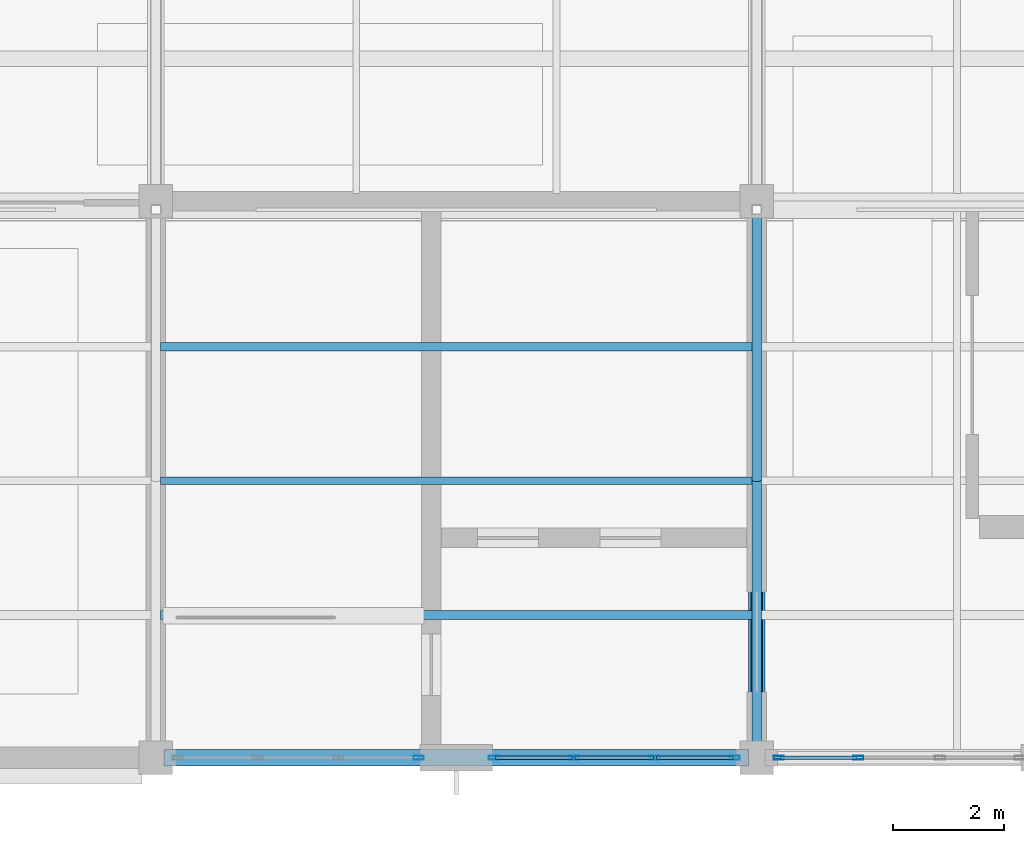
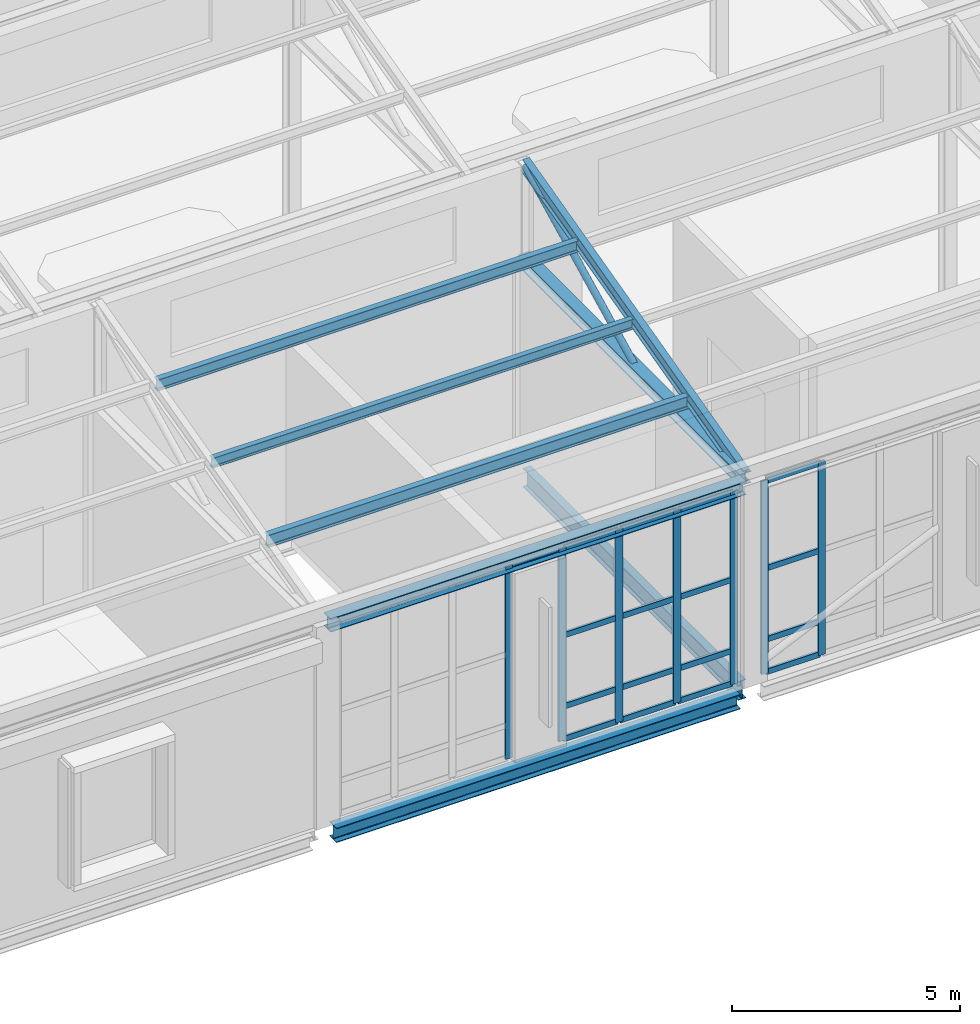
# One storey, part 7 of 49: 29 members, 3 beams, 3 elements without a shape of their own.
"""IFC4 building model written with IfcOpenShell, lengths in metres."""

from ifc_helpers import new_model, si_unit, direction, frame, origin, origin_2d, place, context, subcontext, project, spatial, hollow_rectangle, hollow_circle, i_section, extrude, material, layer, layer_set, material_profile, profile_set, type_object, element, aggregate, save


model = new_model("IFC4")

# Units and contexts
model_context = context("Model", 3, precision=1e-05, world=origin(), true_north=direction((0.0, 1.0)))
body_context = subcontext(model_context, "Body", "Model", "MODEL_VIEW")
ifc_project = project(units=[si_unit("LENGTHUNIT", "METRE"), si_unit("AREAUNIT", "SQUARE_METRE"), si_unit("VOLUMEUNIT", "CUBIC_METRE"), si_unit("PLANEANGLEUNIT", "RADIAN"), si_unit("MASSUNIT", "GRAM", prefix="KILO")], contexts=[model_context])

# Site, building, storey
site_placement = place(None, origin())
site = spatial("IfcSite", under=ifc_project, at=site_placement, CompositionType="ELEMENT")
building_placement = place(site_placement, origin())
building = spatial("IfcBuilding", under=site, at=building_placement, Name="Tasgan Crest Museum", CompositionType="ELEMENT")
storey_placement = place(building_placement, frame((0.0, 0.0, 28.800048828125)))
storey = spatial("IfcBuildingStorey", under=building, at=storey_placement, Name="L05", CompositionType="ELEMENT", Elevation=28.800048828125)

# Beams
ifc_material_1 = material(Name="Steel S355J2", Category="steel")
ifc_material_profile_1 = material_profile(ifc_material_1, i_section(OverallWidth=0.300048828125, OverallDepth=0.35009765625, WebThickness=0.009521484375, FlangeThickness=0.017578125, FilletRadius=0.027099609375, at=origin_2d()), Name="HEA 360")
ifc_profile_set_1 = profile_set([ifc_material_profile_1], Name="Steel S355J2")
beam_type_1 = type_object("IfcBeamType", Name="BM-G-HEA360", PredefinedType="BEAM", material=ifc_profile_set_1)
beam_1_placement = place(storey_placement, frame((10.949951171875, 82.0, 5.219970703125), z_axis=(1.0, 0.0, 0.0), x_axis=(0.0, 1.0, 0.0)))
element("IfcBeam", 1, at=beam_1_placement, inside=storey, type_object=beam_type_1, Name="Sawtooth valley girder B1 10.8-21.6", PredefinedType="BEAM", context=body_context, shape_type="SweptSolid", body=[
    extrude(i_section(OverallWidth=0.300048828125, OverallDepth=0.35009765625, WebThickness=0.009521484375, FlangeThickness=0.017578125, FilletRadius=0.027099609375, at=origin_2d()), origin(), (0.0, 0.0, 1.0), 10.5),
])
ifc_material_2 = material(Name="Steel S355J2", Category="steel")
ifc_material_profile_2 = material_profile(ifc_material_2, i_section(OverallWidth=0.300048828125, OverallDepth=0.389892578125, WebThickness=0.010986328125, FlangeThickness=0.01904296875, FilletRadius=0.027099609375, at=origin_2d()), Name="HEA 400")
ifc_profile_set_2 = profile_set([ifc_material_profile_2], Name="Steel S355J2")
beam_type_2 = type_object("IfcBeamType", Name="BM-G-HEA400", PredefinedType="BEAM", material=ifc_profile_set_2)
beam_2_placement = place(storey_placement, frame((11.095947265625, 82.0, -0.43505859375), z_axis=(1.0, 0.0, 0.0), x_axis=(0.0, 1.0, 0.0)))
element("IfcBeam", 2, at=beam_2_placement, inside=storey, type_object=beam_type_2, Name="Girder L05 J 10.8-21.6", PredefinedType="BEAM", context=body_context, shape_type="SweptSolid", body=[
    extrude(i_section(OverallWidth=0.300048828125, OverallDepth=0.389892578125, WebThickness=0.010986328125, FlangeThickness=0.01904296875, FilletRadius=0.027099609375, at=origin_2d()), origin(), (0.0, 0.0, 1.0), 10.2080078125),
])
ifc_material_3 = material(Name="Steel S355J2", Category="steel")
ifc_material_profile_3 = material_profile(ifc_material_3, i_section(OverallWidth=0.199951171875, OverallDepth=0.5, WebThickness=0.01025390625, FlangeThickness=0.01611328125, FilletRadius=0.02099609375, at=origin_2d()), Name="IPE 500")
ifc_profile_set_3 = profile_set([ifc_material_profile_3], Name="Steel S355J2")
beam_type_3 = type_object("IfcBeamType", Name="BM-G-IPE500", PredefinedType="BEAM", material=ifc_profile_set_3)
beam_3_placement = place(storey_placement, frame((21.60009765625, 82.294921875, -0.489990234375), z_axis=(0.0, 1.0, 0.0), x_axis=(-1.0, 0.0, 0.0)))
element("IfcBeam", 3, at=beam_3_placement, inside=storey, type_object=beam_type_3, Name="Beam L05 3 82.0-92.0", PredefinedType="BEAM", context=body_context, shape_type="SweptSolid", body=[
    extrude(i_section(OverallWidth=0.199951171875, OverallDepth=0.5, WebThickness=0.01025390625, FlangeThickness=0.01611328125, FilletRadius=0.02099609375, at=origin_2d()), origin(), (0.0, 0.0, 1.0), 9.41015625),
])

# Curtain wall, member
ifc_material_4 = material(Name="Triple-Glazed Aluminium Curtain Wall", Category="aluminium")
ifc_layer_1 = layer(ifc_material_4, 0.179931640625, Name="CW-CORE-STRIP-54")
ifc_layer_set_1 = layer_set([ifc_layer_1], Name="Triple-Glazed Aluminium Curtain Wall")
curtain_wall_type_1 = type_object("IfcCurtainWallType", Name="CW-CORE-STRIP-54", PredefinedType="NOTDEFINED", material=ifc_layer_set_1)
curtain_wall_1_placement = place(storey_placement, origin())
curtain_wall_1 = element("IfcCurtainWall", 4, at=curtain_wall_1_placement, inside=storey, type_object=curtain_wall_type_1, Name="Curtain wall L05 211", PredefinedType="NOTDEFINED")
ifc_material_5 = material(Name="Anodised Aluminium", Category="aluminium")
ifc_material_profile_4 = material_profile(ifc_material_5, hollow_rectangle(XDim=0.06494140625, YDim=0.179931640625, WallThickness=0.0048828125, at=origin_2d()), Name="ALU MULLION 180x65x5")
ifc_profile_set_4 = profile_set([ifc_material_profile_4], Name="Anodised Aluminium")
member_type_1 = type_object("IfcMemberType", Name="CW-MULLION-180", PredefinedType="MULLION", material=ifc_profile_set_4)
member_1_placement = place(storey_placement, frame((15.52490234375, 82.0, 0.0), z_axis=(0.0, 0.0, 1.0), x_axis=(0.0, 1.0, 0.0)))
member_1 = element("IfcMember", 5, at=member_1_placement, type_object=member_type_1, Name="CW21 mullion 4", PredefinedType="MULLION", context=body_context, shape_type="SweptSolid", body=[
    extrude(hollow_rectangle(XDim=0.06494140625, YDim=0.179931640625, WallThickness=0.0048828125, at=origin_2d()), origin(), (0.0, 0.0, 1.0), 5.159912109375),
])
aggregate(curtain_wall_1, [member_1])

# Curtain wall, members
curtain_wall_2_placement = place(storey_placement, origin())
curtain_wall_2 = element("IfcCurtainWall", 6, at=curtain_wall_2_placement, inside=storey, type_object=curtain_wall_type_1, Name="Curtain wall L05 212", PredefinedType="NOTDEFINED")
member_2_placement = place(storey_placement, frame((16.875, 82.0, 0.0), z_axis=(0.0, 0.0, 1.0), x_axis=(0.0, 1.0, 0.0)))
member_2 = element("IfcMember", 7, at=member_2_placement, type_object=member_type_1, Name="CW21 mullion 1", PredefinedType="MULLION", context=body_context, shape_type="SweptSolid", body=[
    extrude(hollow_rectangle(XDim=0.06494140625, YDim=0.179931640625, WallThickness=0.0048828125, at=origin_2d()), origin(), (0.0, 0.0, 1.0), 5.159912109375),
])
member_3_placement = place(storey_placement, frame((18.308349609375, 82.0, 0.0), z_axis=(0.0, 0.0, 1.0), x_axis=(0.0, 1.0, 0.0)))
member_3 = element("IfcMember", 8, at=member_3_placement, type_object=member_type_1, Name="CW21 mullion 2", PredefinedType="MULLION", context=body_context, shape_type="SweptSolid", body=[
    extrude(hollow_rectangle(XDim=0.06494140625, YDim=0.179931640625, WallThickness=0.0048828125, at=origin_2d()), origin(), (0.0, 0.0, 1.0), 5.159912109375),
])
member_4_placement = place(storey_placement, frame((19.771728515625, 82.0, 0.0), z_axis=(0.0, 0.0, 1.0), x_axis=(0.0, 1.0, 0.0)))
member_4 = element("IfcMember", 9, at=member_4_placement, type_object=member_type_1, Name="CW21 mullion 3", PredefinedType="MULLION", context=body_context, shape_type="SweptSolid", body=[
    extrude(hollow_rectangle(XDim=0.06494140625, YDim=0.179931640625, WallThickness=0.0048828125, at=origin_2d()), origin(), (0.0, 0.0, 1.0), 5.159912109375),
])
member_5_placement = place(storey_placement, frame((21.205078125, 82.0, 0.0), z_axis=(0.0, 0.0, 1.0), x_axis=(0.0, 1.0, 0.0)))
member_5 = element("IfcMember", 10, at=member_5_placement, type_object=member_type_1, Name="CW21 mullion 4", PredefinedType="MULLION", context=body_context, shape_type="SweptSolid", body=[
    extrude(hollow_rectangle(XDim=0.06494140625, YDim=0.179931640625, WallThickness=0.0048828125, at=origin_2d()), origin(), (0.0, 0.0, 1.0), 5.159912109375),
])

ifc_material_6 = material(Name="Triple-Glazed Aluminium Curtain Wall", Category="aluminium")
ifc_layer_2 = layer(ifc_material_6, 0.179931640625, Name="CW-GAL-X-54")
ifc_layer_set_2 = layer_set([ifc_layer_2], Name="Triple-Glazed Aluminium Curtain Wall")
curtain_wall_type_2 = type_object("IfcCurtainWallType", Name="CW-GAL-X-54", PredefinedType="NOTDEFINED", material=ifc_layer_set_2)
curtain_wall_3_placement = place(storey_placement, origin())
curtain_wall_3 = element("IfcCurtainWall", 11, at=curtain_wall_3_placement, inside=storey, type_object=curtain_wall_type_2, Name="Curtain wall L05 213", PredefinedType="NOTDEFINED")
member_6_placement = place(storey_placement, frame((21.9951171875, 82.0, 0.0), z_axis=(0.0, 0.0, 1.0), x_axis=(0.0, 1.0, 0.0)))
member_6 = element("IfcMember", 12, at=member_6_placement, type_object=member_type_1, Name="CW15 mullion 1", PredefinedType="MULLION", context=body_context, shape_type="SweptSolid", body=[
    extrude(hollow_rectangle(XDim=0.06494140625, YDim=0.179931640625, WallThickness=0.0048828125, at=origin_2d()), origin(), (0.0, 0.0, 1.0), 5.159912109375),
])
member_7_placement = place(storey_placement, frame((23.42822265625, 82.0, 0.0), z_axis=(0.0, 0.0, 1.0), x_axis=(0.0, 1.0, 0.0)))
member_7 = element("IfcMember", 13, at=member_7_placement, type_object=member_type_1, Name="CW15 mullion 2", PredefinedType="MULLION", context=body_context, shape_type="SweptSolid", body=[
    extrude(hollow_rectangle(XDim=0.06494140625, YDim=0.179931640625, WallThickness=0.0048828125, at=origin_2d()), origin(), (0.0, 0.0, 1.0), 5.159912109375),
])

# Member
ifc_material_7 = material(Name="Anodised Aluminium", Category="aluminium")
ifc_material_profile_5 = material_profile(ifc_material_7, hollow_rectangle(XDim=0.06005859375, YDim=0.14990234375, WallThickness=0.0048828125, at=origin_2d()), Name="ALU TRANSOM 150x60x5")
ifc_profile_set_5 = profile_set([ifc_material_profile_5], Name="Anodised Aluminium")
member_type_2 = type_object("IfcMemberType", Name="CW-TRANSOM-150", PredefinedType="USERDEFINED", material=ifc_profile_set_5)
member_8_placement = place(storey_placement, frame((16.905029296875, 82.0, 0.030029296875), z_axis=(1.0, 0.0, 0.0), x_axis=(0.0, 1.0, 0.0)))
member_8 = element("IfcMember", 14, at=member_8_placement, type_object=member_type_2, Name="CW21 transom 1.1", ObjectType="TRANSOM", PredefinedType="USERDEFINED", context=body_context, shape_type="SweptSolid", body=[
    extrude(hollow_rectangle(XDim=0.06005859375, YDim=0.14990234375, WallThickness=0.0048828125, at=origin_2d()), origin(), (0.0, 0.0, 1.0), 1.373291015625),
])

member_9_placement = place(storey_placement, frame((16.905029296875, 82.0, 0.89990234375), z_axis=(1.0, 0.0, 0.0), x_axis=(0.0, 1.0, 0.0)))
member_9 = element("IfcMember", 15, at=member_9_placement, type_object=member_type_2, Name="CW21 transom 1.2", ObjectType="TRANSOM", PredefinedType="USERDEFINED", context=body_context, shape_type="SweptSolid", body=[
    extrude(hollow_rectangle(XDim=0.06005859375, YDim=0.14990234375, WallThickness=0.0048828125, at=origin_2d()), origin(), (0.0, 0.0, 1.0), 1.373291015625),
])

member_10_placement = place(storey_placement, frame((16.905029296875, 82.0, 2.800048828125), z_axis=(1.0, 0.0, 0.0), x_axis=(0.0, 1.0, 0.0)))
member_10 = element("IfcMember", 16, at=member_10_placement, type_object=member_type_2, Name="CW21 transom 1.3", ObjectType="TRANSOM", PredefinedType="USERDEFINED", context=body_context, shape_type="SweptSolid", body=[
    extrude(hollow_rectangle(XDim=0.06005859375, YDim=0.14990234375, WallThickness=0.0048828125, at=origin_2d()), origin(), (0.0, 0.0, 1.0), 1.373291015625),
])

member_11_placement = place(storey_placement, frame((16.905029296875, 82.0, 5.1298828125), z_axis=(1.0, 0.0, 0.0), x_axis=(0.0, 1.0, 0.0)))
member_11 = element("IfcMember", 17, at=member_11_placement, type_object=member_type_2, Name="CW21 transom 1.4", ObjectType="TRANSOM", PredefinedType="USERDEFINED", context=body_context, shape_type="SweptSolid", body=[
    extrude(hollow_rectangle(XDim=0.06005859375, YDim=0.14990234375, WallThickness=0.0048828125, at=origin_2d()), origin(), (0.0, 0.0, 1.0), 1.373291015625),
])

member_12_placement = place(storey_placement, frame((18.33837890625, 82.0, 0.030029296875), z_axis=(1.0, 0.0, 0.0), x_axis=(0.0, 1.0, 0.0)))
member_12 = element("IfcMember", 18, at=member_12_placement, type_object=member_type_2, Name="CW21 transom 2.1", ObjectType="TRANSOM", PredefinedType="USERDEFINED", context=body_context, shape_type="SweptSolid", body=[
    extrude(hollow_rectangle(XDim=0.06005859375, YDim=0.14990234375, WallThickness=0.0048828125, at=origin_2d()), origin(), (0.0, 0.0, 1.0), 1.4033203125),
])

member_13_placement = place(storey_placement, frame((18.33837890625, 82.0, 0.89990234375), z_axis=(1.0, 0.0, 0.0), x_axis=(0.0, 1.0, 0.0)))
member_13 = element("IfcMember", 19, at=member_13_placement, type_object=member_type_2, Name="CW21 transom 2.2", ObjectType="TRANSOM", PredefinedType="USERDEFINED", context=body_context, shape_type="SweptSolid", body=[
    extrude(hollow_rectangle(XDim=0.06005859375, YDim=0.14990234375, WallThickness=0.0048828125, at=origin_2d()), origin(), (0.0, 0.0, 1.0), 1.4033203125),
])

member_14_placement = place(storey_placement, frame((18.33837890625, 82.0, 2.800048828125), z_axis=(1.0, 0.0, 0.0), x_axis=(0.0, 1.0, 0.0)))
member_14 = element("IfcMember", 20, at=member_14_placement, type_object=member_type_2, Name="CW21 transom 2.3", ObjectType="TRANSOM", PredefinedType="USERDEFINED", context=body_context, shape_type="SweptSolid", body=[
    extrude(hollow_rectangle(XDim=0.06005859375, YDim=0.14990234375, WallThickness=0.0048828125, at=origin_2d()), origin(), (0.0, 0.0, 1.0), 1.4033203125),
])

member_15_placement = place(storey_placement, frame((18.33837890625, 82.0, 5.1298828125), z_axis=(1.0, 0.0, 0.0), x_axis=(0.0, 1.0, 0.0)))
member_15 = element("IfcMember", 21, at=member_15_placement, type_object=member_type_2, Name="CW21 transom 2.4", ObjectType="TRANSOM", PredefinedType="USERDEFINED", context=body_context, shape_type="SweptSolid", body=[
    extrude(hollow_rectangle(XDim=0.06005859375, YDim=0.14990234375, WallThickness=0.0048828125, at=origin_2d()), origin(), (0.0, 0.0, 1.0), 1.4033203125),
])

member_16_placement = place(storey_placement, frame((19.8017578125, 82.0, 0.030029296875), z_axis=(1.0, 0.0, 0.0), x_axis=(0.0, 1.0, 0.0)))
member_16 = element("IfcMember", 22, at=member_16_placement, type_object=member_type_2, Name="CW21 transom 3.1", ObjectType="TRANSOM", PredefinedType="USERDEFINED", context=body_context, shape_type="SweptSolid", body=[
    extrude(hollow_rectangle(XDim=0.06005859375, YDim=0.14990234375, WallThickness=0.0048828125, at=origin_2d()), origin(), (0.0, 0.0, 1.0), 1.373291015625),
])

member_17_placement = place(storey_placement, frame((19.8017578125, 82.0, 0.89990234375), z_axis=(1.0, 0.0, 0.0), x_axis=(0.0, 1.0, 0.0)))
member_17 = element("IfcMember", 23, at=member_17_placement, type_object=member_type_2, Name="CW21 transom 3.2", ObjectType="TRANSOM", PredefinedType="USERDEFINED", context=body_context, shape_type="SweptSolid", body=[
    extrude(hollow_rectangle(XDim=0.06005859375, YDim=0.14990234375, WallThickness=0.0048828125, at=origin_2d()), origin(), (0.0, 0.0, 1.0), 1.373291015625),
])

member_18_placement = place(storey_placement, frame((19.8017578125, 82.0, 2.800048828125), z_axis=(1.0, 0.0, 0.0), x_axis=(0.0, 1.0, 0.0)))
member_18 = element("IfcMember", 24, at=member_18_placement, type_object=member_type_2, Name="CW21 transom 3.3", ObjectType="TRANSOM", PredefinedType="USERDEFINED", context=body_context, shape_type="SweptSolid", body=[
    extrude(hollow_rectangle(XDim=0.06005859375, YDim=0.14990234375, WallThickness=0.0048828125, at=origin_2d()), origin(), (0.0, 0.0, 1.0), 1.373291015625),
])

member_19_placement = place(storey_placement, frame((19.8017578125, 82.0, 5.1298828125), z_axis=(1.0, 0.0, 0.0), x_axis=(0.0, 1.0, 0.0)))
member_19 = element("IfcMember", 25, at=member_19_placement, type_object=member_type_2, Name="CW21 transom 3.4", ObjectType="TRANSOM", PredefinedType="USERDEFINED", context=body_context, shape_type="SweptSolid", body=[
    extrude(hollow_rectangle(XDim=0.06005859375, YDim=0.14990234375, WallThickness=0.0048828125, at=origin_2d()), origin(), (0.0, 0.0, 1.0), 1.373291015625),
])

aggregate(curtain_wall_2, [member_2, member_3, member_4, member_5, member_8, member_9, member_10, member_11, member_12, member_13, member_14, member_15, member_16, member_17, member_18, member_19])

member_20_placement = place(storey_placement, frame((22.02490234375, 82.0, 0.030029296875), z_axis=(1.0, 0.0, 0.0), x_axis=(0.0, 1.0, 0.0)))
member_20 = element("IfcMember", 26, at=member_20_placement, type_object=member_type_2, Name="CW15 transom 1.1", ObjectType="TRANSOM", PredefinedType="USERDEFINED", context=body_context, shape_type="SweptSolid", body=[
    extrude(hollow_rectangle(XDim=0.06005859375, YDim=0.14990234375, WallThickness=0.0048828125, at=origin_2d()), origin(), (0.0, 0.0, 1.0), 1.37353515625),
])

member_21_placement = place(storey_placement, frame((22.02490234375, 82.0, 0.89990234375), z_axis=(1.0, 0.0, 0.0), x_axis=(0.0, 1.0, 0.0)))
member_21 = element("IfcMember", 27, at=member_21_placement, type_object=member_type_2, Name="CW15 transom 1.2", ObjectType="TRANSOM", PredefinedType="USERDEFINED", context=body_context, shape_type="SweptSolid", body=[
    extrude(hollow_rectangle(XDim=0.06005859375, YDim=0.14990234375, WallThickness=0.0048828125, at=origin_2d()), origin(), (0.0, 0.0, 1.0), 1.37353515625),
])

member_22_placement = place(storey_placement, frame((22.02490234375, 82.0, 2.800048828125), z_axis=(1.0, 0.0, 0.0), x_axis=(0.0, 1.0, 0.0)))
member_22 = element("IfcMember", 28, at=member_22_placement, type_object=member_type_2, Name="CW15 transom 1.3", ObjectType="TRANSOM", PredefinedType="USERDEFINED", context=body_context, shape_type="SweptSolid", body=[
    extrude(hollow_rectangle(XDim=0.06005859375, YDim=0.14990234375, WallThickness=0.0048828125, at=origin_2d()), origin(), (0.0, 0.0, 1.0), 1.37353515625),
])

member_23_placement = place(storey_placement, frame((22.02490234375, 82.0, 5.1298828125), z_axis=(1.0, 0.0, 0.0), x_axis=(0.0, 1.0, 0.0)))
member_23 = element("IfcMember", 29, at=member_23_placement, type_object=member_type_2, Name="CW15 transom 1.4", ObjectType="TRANSOM", PredefinedType="USERDEFINED", context=body_context, shape_type="SweptSolid", body=[
    extrude(hollow_rectangle(XDim=0.06005859375, YDim=0.14990234375, WallThickness=0.0048828125, at=origin_2d()), origin(), (0.0, 0.0, 1.0), 1.37353515625),
])

aggregate(curtain_wall_3, [member_6, member_7, member_20, member_21, member_22, member_23])

# Members
ifc_material_8 = material(Name="Steel S355J2", Category="steel")
ifc_material_profile_6 = material_profile(ifc_material_8, i_section(OverallWidth=0.14990234375, OverallDepth=0.300048828125, WebThickness=0.007080078125, FlangeThickness=0.0107421875, FilletRadius=0.014892578125, at=origin_2d()), Name="IPE 300")
ifc_profile_set_6 = profile_set([ifc_material_profile_6], Name="Steel S355J2")
member_type_3 = type_object("IfcMemberType", Name="MEM-PUR-IPE300", PredefinedType="PURLIN", material=ifc_profile_set_6)
member_24_placement = place(storey_placement, frame((10.885009765625, 89.387451171875, 7.1298828125), z_axis=(1.0, 0.0, 0.0), x_axis=(0.0, 1.0, 0.0)))
element("IfcMember", 30, at=member_24_placement, inside=storey, type_object=member_type_3, Name="Sawtooth roof purlin B1 10.8-21.6 P3", PredefinedType="PURLIN", context=body_context, shape_type="SweptSolid", body=[
    extrude(i_section(OverallWidth=0.14990234375, OverallDepth=0.300048828125, WebThickness=0.007080078125, FlangeThickness=0.0107421875, FilletRadius=0.014892578125, at=origin_2d()), origin(), (0.0, 0.0, 1.0), 10.6298828125),
])
ifc_material_9 = material(Name="Steel S355J2", Category="steel")
ifc_material_profile_7 = material_profile(ifc_material_9, i_section(OverallWidth=0.159912109375, OverallDepth=0.330078125, WebThickness=0.007568359375, FlangeThickness=0.011474609375, FilletRadius=0.01806640625, at=origin_2d()), Name="IPE 330")
ifc_profile_set_7 = profile_set([ifc_material_profile_7], Name="Steel S355J2")
member_type_4 = type_object("IfcMemberType", Name="MEM-PUR-IPE330", PredefinedType="PURLIN", material=ifc_profile_set_7)
member_25_placement = place(storey_placement, frame((10.885009765625, 84.5625, 5.889892578125), z_axis=(1.0, 0.0, 0.0), x_axis=(0.0, 1.0, 0.0)))
element("IfcMember", 31, at=member_25_placement, inside=storey, type_object=member_type_4, Name="Sawtooth roof purlin B1 10.8-21.6 P1", PredefinedType="PURLIN", context=body_context, shape_type="SweptSolid", body=[
    extrude(i_section(OverallWidth=0.159912109375, OverallDepth=0.330078125, WebThickness=0.007568359375, FlangeThickness=0.011474609375, FilletRadius=0.01806640625, at=origin_2d()), origin(), (0.0, 0.0, 1.0), 10.6298828125),
])
ifc_material_10 = material(Name="Steel S355J2", Category="steel")
ifc_material_profile_8 = material_profile(ifc_material_10, i_section(OverallWidth=0.135009765625, OverallDepth=0.27001953125, WebThickness=0.006591796875, FlangeThickness=0.01025390625, FilletRadius=0.014892578125, at=origin_2d()), Name="IPE 270")
ifc_profile_set_8 = profile_set([ifc_material_profile_8], Name="Steel S355J2")
member_type_5 = type_object("IfcMemberType", Name="MEM-PURLIN-270", PredefinedType="PURLIN", material=ifc_profile_set_8)
member_26_placement = place(storey_placement, frame((10.885009765625, 86.97509765625, 6.510009765625), z_axis=(1.0, 0.0, 0.0), x_axis=(0.0, 1.0, 0.0)))
element("IfcMember", 32, at=member_26_placement, inside=storey, type_object=member_type_5, Name="Sawtooth roof purlin B1 10.8-21.6 P2", PredefinedType="PURLIN", context=body_context, shape_type="SweptSolid", body=[
    extrude(i_section(OverallWidth=0.135009765625, OverallDepth=0.27001953125, WebThickness=0.006591796875, FlangeThickness=0.01025390625, FilletRadius=0.014892578125, at=origin_2d()), origin(), (0.0, 0.0, 1.0), 10.6298828125),
])
ifc_material_11 = material(Name="Steel S355K2", Category="steel")
ifc_material_profile_9 = material_profile(ifc_material_11, i_section(OverallWidth=0.300048828125, OverallDepth=0.31005859375, WebThickness=0.009033203125, FlangeThickness=0.015380859375, FilletRadius=0.027099609375, at=origin_2d()), Name="HEA 320")
ifc_profile_set_9 = profile_set([ifc_material_profile_9], Name="Steel S355K2")
member_type_6 = type_object("IfcMemberType", Name="TR-SAW-CHORD", PredefinedType="CHORD", material=ifc_profile_set_9)
member_27_placement = place(storey_placement, frame((21.60009765625, 82.14990234375, 5.239990234375), z_axis=(0.0, 1.0, 0.0), x_axis=(-1.0, 0.0, 0.0)))
element("IfcMember", 33, at=member_27_placement, inside=storey, type_object=member_type_6, Name="Roof truss bottom chord B1 3", PredefinedType="CHORD", context=body_context, shape_type="SweptSolid", body=[
    extrude(i_section(OverallWidth=0.300048828125, OverallDepth=0.31005859375, WebThickness=0.009033203125, FlangeThickness=0.015380859375, FilletRadius=0.027099609375, at=origin_2d()), origin(), (0.0, 0.0, 1.0), 9.7001953125),
])
ifc_material_12 = material(Name="Steel S355K2", Category="steel")
ifc_material_profile_10 = material_profile(ifc_material_12, hollow_circle(Radius=0.084228515625, WallThickness=0.008056640625, at=origin_2d()), Name="CHS 168.3x8")
ifc_profile_set_10 = profile_set([ifc_material_profile_10], Name="Steel S355K2")
member_type_7 = type_object("IfcMemberType", Name="TR-SAW-DIAG", PredefinedType="BRACE", material=ifc_profile_set_10)
member_28_placement = place(storey_placement, frame((21.60009765625, 87.0, 5.349853515625), z_axis=(0.0, 0.894418092416, 0.447231792205), x_axis=(-1.0, 0.0, 0.0)))
element("IfcMember", 34, at=member_28_placement, inside=storey, type_object=member_type_7, Name="Roof truss diagonal B1 3", PredefinedType="BRACE", context=body_context, shape_type="SweptSolid", body=[
    extrude(hollow_circle(Radius=0.084228515625, WallThickness=0.008056640625, at=origin_2d()), origin(), (0.0, 0.0, 1.0), 5.36669921875),
])
ifc_material_13 = material(Name="Steel S355K2", Category="steel")
ifc_material_profile_11 = material_profile(ifc_material_13, i_section(OverallWidth=0.169921875, OverallDepth=0.360107421875, WebThickness=0.008056640625, FlangeThickness=0.0126953125, FilletRadius=0.01806640625, at=origin_2d()), Name="IPE 360")
ifc_profile_set_11 = profile_set([ifc_material_profile_11], Name="Steel S355K2")
member_type_8 = type_object("IfcMemberType", Name="TR-SAW-RAFTER", PredefinedType="RAFTER", material=ifc_profile_set_11)
member_29_placement = place(storey_placement, frame((21.60009765625, 82.14990234375, 5.320068359375), z_axis=(0.0, 0.968528888954, 0.248901167657), x_axis=(-1.0, 0.0, 0.0)))
element("IfcMember", 35, at=member_29_placement, inside=storey, type_object=member_type_8, Name="Roof truss rafter B1 3", PredefinedType="RAFTER", context=body_context, shape_type="SweptSolid", body=[
    extrude(i_section(OverallWidth=0.169921875, OverallDepth=0.360107421875, WebThickness=0.008056640625, FlangeThickness=0.0126953125, FilletRadius=0.01806640625, at=origin_2d()), origin(), (0.0, 0.0, 1.0), 9.963623046875),
])

save(model, "model.ifc")
